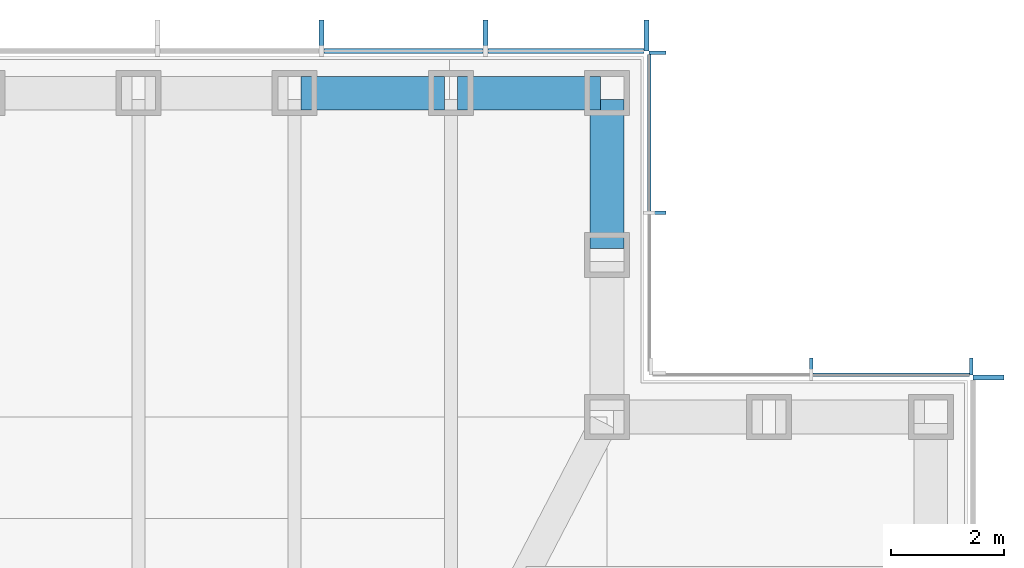
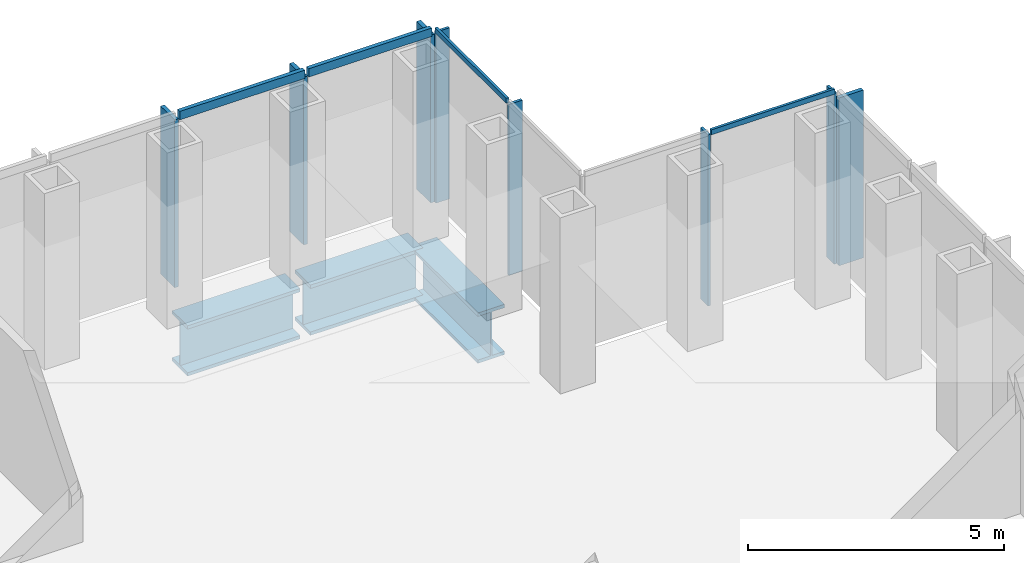
# One storey, part 6 of 16: 12 members, 3 beams, 4 elements without a shape of their own.
"""IFC4 building model written with IfcOpenShell, lengths in metres."""

from ifc_helpers import new_model, si_unit, direction, frame, origin, origin_2d, place, context, subcontext, project, spatial, rectangle, i_section, extrude, material, material_profile, profile_set, type_object, element, aggregate, save


model = new_model("IFC4")

# Units and contexts
model_context = context("Model", 3, precision=1e-05, world=origin(), true_north=direction((0.0, 1.0)))
body_context = subcontext(model_context, "Body", "Model", "MODEL_VIEW")
ifc_project = project(units=[si_unit("LENGTHUNIT", "METRE"), si_unit("AREAUNIT", "SQUARE_METRE"), si_unit("VOLUMEUNIT", "CUBIC_METRE"), si_unit("PLANEANGLEUNIT", "RADIAN"), si_unit("MASSUNIT", "GRAM", prefix="KILO")], contexts=[model_context])

# Site, building, storey
site_placement = place(None, origin())
site = spatial("IfcSite", under=ifc_project, at=site_placement, CompositionType="ELEMENT")
building_placement = place(site_placement, origin())
building = spatial("IfcBuilding", under=site, at=building_placement, Name="Daluyong Arena Tower", CompositionType="ELEMENT")
storey_placement = place(building_placement, frame((0.0, 0.0, 271.300048828125)))
storey = spatial("IfcBuildingStorey", under=building, at=storey_placement, Name="L61", CompositionType="ELEMENT", Elevation=271.300048828125)

# Curtain wall, member
ifc_material_1 = material(Name="Bronze anodised aluminium and glass", Category="aluminium")
curtain_wall_type_1 = type_object("IfcCurtainWallType", Name="Curtain wall CW4", PredefinedType="USERDEFINED", material=ifc_material_1)
curtain_wall_1_placement = place(storey_placement, origin())
curtain_wall_1 = element("IfcCurtainWall", 1, at=curtain_wall_1_placement, inside=storey, type_object=curtain_wall_type_1, Name="curtain wall L61 E", ObjectType="UNITISED CURTAIN WALL", PredefinedType="USERDEFINED")
ifc_material_2 = material(Name="Bronze anodised aluminium fin", Category="aluminium")
ifc_material_profile_1 = material_profile(ifc_material_2, rectangle(XDim=0.550048828125, YDim=0.090087890625, at=origin_2d()))
ifc_profile_set_1 = profile_set([ifc_material_profile_1], Name="Bronze anodised aluminium fin")
member_type_1 = type_object("IfcMemberType", Name="CW4 bronze fin 550x90", PredefinedType="MULLION", material=ifc_profile_set_1)
member_1_placement = place(storey_placement, frame((78.02490234375, 95.955078125, 0.0), z_axis=(0.0, 0.0, 1.0), x_axis=(-1.0, 0.0, 0.0)))
member_1 = element("IfcMember", 2, at=member_1_placement, type_object=member_type_1, Name="curtain wall L61 E fin 12", PredefinedType="MULLION", context=body_context, shape_type="SweptSolid", body=[
    extrude(rectangle(XDim=0.550048828125, YDim=0.090087890625, at=origin_2d()), origin(), (0.0, 0.0, 1.0), 4.0),
])
aggregate(curtain_wall_1, [member_1])

# Curtain wall, members
curtain_wall_2_placement = place(storey_placement, origin())
curtain_wall_2 = element("IfcCurtainWall", 3, at=curtain_wall_2_placement, inside=storey, type_object=curtain_wall_type_1, Name="curtain wall L61 N", ObjectType="UNITISED CURTAIN WALL", PredefinedType="USERDEFINED")
member_2_placement = place(storey_placement, frame((71.955078125, 102.02490234375, 0.0), z_axis=(0.0, 0.0, 1.0), x_axis=(0.0, -1.0, 0.0)))
member_2 = element("IfcMember", 4, at=member_2_placement, type_object=member_type_1, Name="curtain wall L61 N fin 1", PredefinedType="MULLION", context=body_context, shape_type="SweptSolid", body=[
    extrude(rectangle(XDim=0.550048828125, YDim=0.090087890625, at=origin_2d()), origin(), (0.0, 0.0, 1.0), 4.0),
])
member_3_placement = place(storey_placement, frame((69.0908203125, 102.02490234375, 0.0), z_axis=(0.0, 0.0, 1.0), x_axis=(0.0, -1.0, 0.0)))
member_3 = element("IfcMember", 5, at=member_3_placement, type_object=member_type_1, Name="curtain wall L61 N fin 2", PredefinedType="MULLION", context=body_context, shape_type="SweptSolid", body=[
    extrude(rectangle(XDim=0.550048828125, YDim=0.090087890625, at=origin_2d()), origin(), (0.0, 0.0, 1.0), 4.0),
])
member_4_placement = place(storey_placement, frame((66.181884765625, 102.02490234375, 0.0), z_axis=(0.0, 0.0, 1.0), x_axis=(0.0, -1.0, 0.0)))
member_4 = element("IfcMember", 6, at=member_4_placement, type_object=member_type_1, Name="curtain wall L61 N fin 3", PredefinedType="MULLION", context=body_context, shape_type="SweptSolid", body=[
    extrude(rectangle(XDim=0.550048828125, YDim=0.090087890625, at=origin_2d()), origin(), (0.0, 0.0, 1.0), 4.0),
])
ifc_material_3 = material(Name="Bronze anodised aluminium", Category="aluminium")
ifc_material_profile_2 = material_profile(ifc_material_3, rectangle(XDim=0.090087890625, YDim=0.199951171875, at=origin_2d()))
ifc_profile_set_2 = profile_set([ifc_material_profile_2], Name="Bronze anodised aluminium")
member_type_2 = type_object("IfcMemberType", Name="CW4 stack transom 200x90", PredefinedType="USERDEFINED", material=ifc_profile_set_2)
member_5_placement = place(storey_placement, frame((71.909912109375, 101.75, 4.099853515625), z_axis=(-1.0, 0.0, 0.0), x_axis=(0.0, -1.0, 0.0)))
member_5 = element("IfcMember", 7, at=member_5_placement, type_object=member_type_2, Name="curtain wall L61 N transom 1", ObjectType="TRANSOM", PredefinedType="USERDEFINED", context=body_context, shape_type="SweptSolid", body=[
    extrude(rectangle(XDim=0.090087890625, YDim=0.199951171875, at=origin_2d()), origin(), (0.0, 0.0, 1.0), 2.77392578125),
])
member_6_placement = place(storey_placement, frame((69.0458984375, 101.75, 4.099853515625), z_axis=(-1.0, 0.0, 0.0), x_axis=(0.0, -1.0, 0.0)))
member_6 = element("IfcMember", 8, at=member_6_placement, type_object=member_type_2, Name="curtain wall L61 N transom 2", ObjectType="TRANSOM", PredefinedType="USERDEFINED", context=body_context, shape_type="SweptSolid", body=[
    extrude(rectangle(XDim=0.090087890625, YDim=0.199951171875, at=origin_2d()), origin(), (0.0, 0.0, 1.0), 2.819091796875),
])
aggregate(curtain_wall_2, [member_2, member_3, member_4, member_5, member_6])

ifc_material_4 = material(Name="Bronze anodised aluminium and glass", Category="aluminium")
curtain_wall_type_2 = type_object("IfcCurtainWallType", Name="Curtain wall CW7", PredefinedType="USERDEFINED", material=ifc_material_4)
curtain_wall_3_placement = place(storey_placement, origin())
curtain_wall_3 = element("IfcCurtainWall", 9, at=curtain_wall_3_placement, inside=storey, type_object=curtain_wall_type_2, Name="curtain wall L61 NE-N", ObjectType="UNITISED CURTAIN WALL", PredefinedType="USERDEFINED")
ifc_material_5 = material(Name="Bronze anodised aluminium fin", Category="aluminium")
ifc_material_profile_3 = material_profile(ifc_material_5, rectangle(XDim=0.300048828125, YDim=0.06005859375, at=origin_2d()))
ifc_profile_set_3 = profile_set([ifc_material_profile_3], Name="Bronze anodised aluminium fin")
member_type_3 = type_object("IfcMemberType", Name="CW7 bronze fin 300x60", PredefinedType="MULLION", material=ifc_profile_set_3)
member_7_placement = place(storey_placement, frame((77.719970703125, 96.14990234375, 0.0), z_axis=(0.0, 0.0, 1.0), x_axis=(0.0, -1.0, 0.0)))
member_7 = element("IfcMember", 10, at=member_7_placement, type_object=member_type_3, Name="curtain wall L61 NE-N fin 1", PredefinedType="MULLION", context=body_context, shape_type="SweptSolid", body=[
    extrude(rectangle(XDim=0.300048828125, YDim=0.06005859375, at=origin_2d()), origin(), (0.0, 0.0, 1.0), 4.079833984375),
])
member_8_placement = place(storey_placement, frame((74.875, 96.14990234375, 0.0), z_axis=(0.0, 0.0, 1.0), x_axis=(0.0, -1.0, 0.0)))
member_8 = element("IfcMember", 11, at=member_8_placement, type_object=member_type_3, Name="curtain wall L61 NE-N fin 2", PredefinedType="MULLION", context=body_context, shape_type="SweptSolid", body=[
    extrude(rectangle(XDim=0.300048828125, YDim=0.06005859375, at=origin_2d()), origin(), (0.0, 0.0, 1.0), 4.079833984375),
])

curtain_wall_4_placement = place(storey_placement, origin())
curtain_wall_4 = element("IfcCurtainWall", 12, at=curtain_wall_4_placement, inside=storey, type_object=curtain_wall_type_2, Name="curtain wall L61 NE-E", ObjectType="UNITISED CURTAIN WALL", PredefinedType="USERDEFINED")
member_9_placement = place(storey_placement, frame((72.14990234375, 98.875, 0.0), z_axis=(0.0, 0.0, 1.0), x_axis=(-1.0, 0.0, 0.0)))
member_9 = element("IfcMember", 13, at=member_9_placement, type_object=member_type_3, Name="curtain wall L61 NE-E fin 2", PredefinedType="MULLION", context=body_context, shape_type="SweptSolid", body=[
    extrude(rectangle(XDim=0.300048828125, YDim=0.06005859375, at=origin_2d()), origin(), (0.0, 0.0, 1.0), 4.079833984375),
])
member_10_placement = place(storey_placement, frame((72.14990234375, 101.719970703125, 0.0), z_axis=(0.0, 0.0, 1.0), x_axis=(-1.0, 0.0, 0.0)))
member_10 = element("IfcMember", 14, at=member_10_placement, type_object=member_type_3, Name="curtain wall L61 NE-E fin 3", PredefinedType="MULLION", context=body_context, shape_type="SweptSolid", body=[
    extrude(rectangle(XDim=0.300048828125, YDim=0.06005859375, at=origin_2d()), origin(), (0.0, 0.0, 1.0), 4.079833984375),
])

# Member
ifc_material_6 = material(Name="Bronze anodised aluminium", Category="aluminium")
ifc_material_profile_4 = material_profile(ifc_material_6, rectangle(XDim=0.06005859375, YDim=0.1201171875, at=origin_2d()))
ifc_profile_set_4 = profile_set([ifc_material_profile_4], Name="Bronze anodised aluminium")
member_type_4 = type_object("IfcMemberType", Name="CW7 stack transom 120x60", PredefinedType="USERDEFINED", material=ifc_profile_set_4)
member_11_placement = place(storey_placement, frame((77.68994140625, 96.0, 4.139892578125), z_axis=(-1.0, 0.0, 0.0), x_axis=(0.0, -1.0, 0.0)))
member_11 = element("IfcMember", 15, at=member_11_placement, type_object=member_type_4, Name="curtain wall L61 NE-N transom 1", ObjectType="TRANSOM", PredefinedType="USERDEFINED", context=body_context, shape_type="SweptSolid", body=[
    extrude(rectangle(XDim=0.06005859375, YDim=0.1201171875, at=origin_2d()), origin(), (0.0, 0.0, 1.0), 2.784912109375),
])

aggregate(curtain_wall_3, [member_7, member_8, member_11])

member_12_placement = place(storey_placement, frame((72.0, 98.905029296875, 4.139892578125), z_axis=(0.0, 1.0, 0.0), x_axis=(-1.0, 0.0, 0.0)))
member_12 = element("IfcMember", 16, at=member_12_placement, type_object=member_type_4, Name="curtain wall L61 NE-E transom 2", ObjectType="TRANSOM", PredefinedType="USERDEFINED", context=body_context, shape_type="SweptSolid", body=[
    extrude(rectangle(XDim=0.06005859375, YDim=0.1201171875, at=origin_2d()), origin(), (0.0, 0.0, 1.0), 2.784912109375),
])

aggregate(curtain_wall_4, [member_9, member_10, member_12])

# Beams
ifc_material_7 = material(Name="Steel ASTM A572 Grade 50", Category="steel")
ifc_material_profile_5 = material_profile(ifc_material_7, i_section(OverallWidth=0.60009765625, OverallDepth=1.199951171875, WebThickness=0.03, FlangeThickness=0.08, at=origin_2d()))
ifc_profile_set_5 = profile_set([ifc_material_profile_5], Name="Steel ASTM A572 Grade 50")
beam_type = type_object("IfcBeamType", Name="Spandrel Z4 PG1200X600", PredefinedType="SPANDREL", material=ifc_profile_set_5)
beam_placement = place(storey_placement, frame((71.25, 98.239990234375, -0.760009765625), z_axis=(0.0, 1.0, 0.0), x_axis=(-1.0, 0.0, 0.0)))
element("IfcBeam", 17, at=beam_placement, inside=storey, type_object=beam_type, Name="spandrel z4 SB9", PredefinedType="SPANDREL", context=body_context, shape_type="SweptSolid", body=[
    extrude(i_section(OverallWidth=0.60009765625, OverallDepth=1.199951171875, WebThickness=0.03, FlangeThickness=0.08, at=origin_2d()), origin(), (0.0, 0.0, 1.0), 2.64501953125),
])
for number, where, z_axis, x_axis, name in (
    (18, (71.135009765625, 101.0, -0.760009765625), (-1.0, 0.0, 0.0), (0.0, -1.0, 0.0), "spandrel z4 SB9"),
    (19, (68.3623046875, 101.0, -0.760009765625), (-1.0, 0.0, 0.0), (0.0, -1.0, 0.0), "spandrel z4 SB9"),
):
    element("IfcBeam", number, at=place(storey_placement, frame(where, z_axis=z_axis, x_axis=x_axis)), inside=storey, type_object=beam_type, Name=name, PredefinedType="SPANDREL", context=body_context, shape_type="SweptSolid", body=[
        extrude(i_section(OverallWidth=0.60009765625, OverallDepth=1.199951171875, WebThickness=0.03, FlangeThickness=0.08, at=origin_2d()), origin(), (0.0, 0.0, 1.0), 2.542724609375),
    ])

save(model, "model.ifc")
